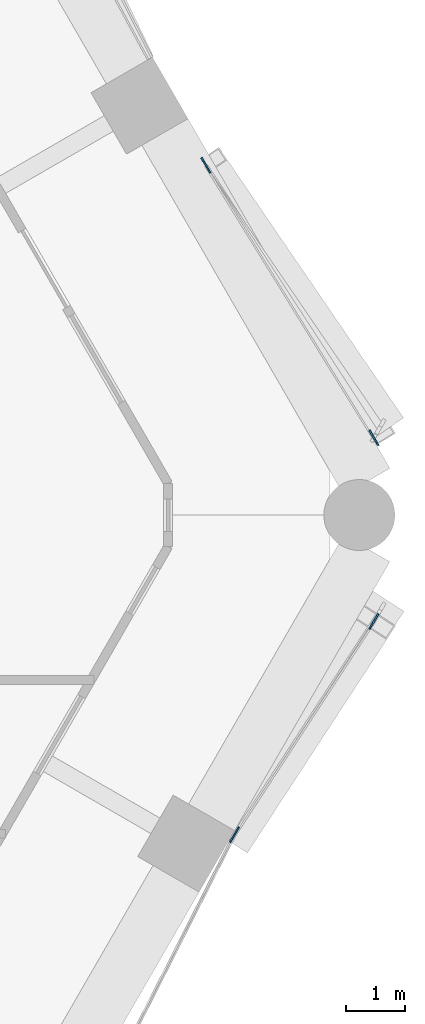
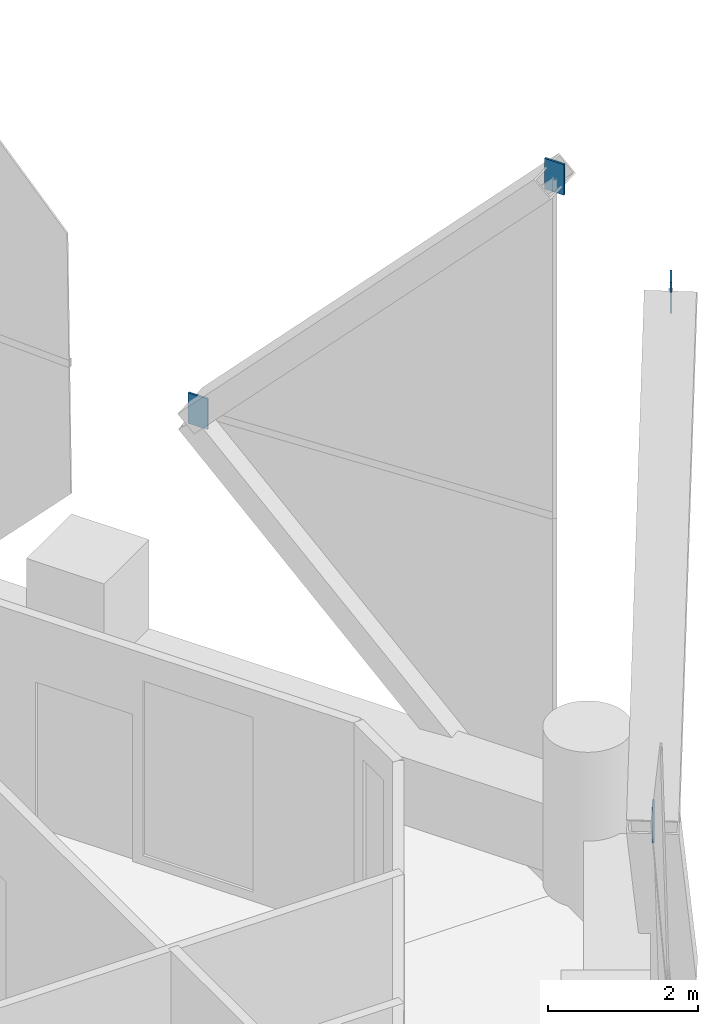
# One storey, part 16 of 17: 4 discrete accessories.
"""IFC4 building model written with IfcOpenShell, lengths in metres."""

from ifc_helpers import new_model, si_unit, direction, frame, origin, origin_2d, place, context, subcontext, project, spatial, rectangle, extrude, material, layer, layer_set, type_object, element, save


model = new_model("IFC4")

# Units and contexts
model_context = context("Model", 3, precision=1e-05, world=origin(), true_north=direction((0.0, 1.0)))
body_context = subcontext(model_context, "Body", "Model", "MODEL_VIEW")
ifc_project = project(units=[si_unit("LENGTHUNIT", "METRE"), si_unit("AREAUNIT", "SQUARE_METRE"), si_unit("VOLUMEUNIT", "CUBIC_METRE"), si_unit("PLANEANGLEUNIT", "RADIAN"), si_unit("MASSUNIT", "GRAM", prefix="KILO")], contexts=[model_context])

# Site, building, storey
site_placement = place(None, origin())
site = spatial("IfcSite", under=ifc_project, at=site_placement, CompositionType="ELEMENT")
building_placement = place(site_placement, origin())
building = spatial("IfcBuilding", under=site, at=building_placement, Name="Ostrander Bayou Hotel Tower", CompositionType="ELEMENT")
storey_placement = place(building_placement, frame((0.0, 0.0, 127.25)))
storey = spatial("IfcBuildingStorey", under=building, at=storey_placement, Name="L31", CompositionType="ELEMENT", Elevation=127.25)

# Discrete accessories
ifc_material = material(Name="Steel ASTM A572 Gr 50", Category="steel")
ifc_layer = layer(ifc_material, 0.030029296875)
ifc_layer_set = layer_set([ifc_layer], Name="GP1 gusset plate 30 mm")
discrete_accessory_type = type_object("IfcDiscreteAccessoryType", Name="GP1 gusset plate 30 mm", PredefinedType="BRACKET", material=ifc_layer_set)
for number, where, z_axis, x_axis, name in (
    (1, (19.831787109375, -6.31689453125, 4.77490234375), (0.0, 0.0, 1.0), (0.5, 0.866025403784, 0.0), "GP1 gusset plate lat 196"),
    (2, (22.188720703125, -2.7080078125, 10.39990234375), (0.0, 0.0, 1.0), (0.5, 0.866025403784, 0.0), "GP1 gusset plate lat 197"),
    (3, (19.348388671875, 5.00390625, 4.77490234375), (0.0, 0.0, 1.0), (-0.5, 0.866025403784, 0.0), "GP1 gusset plate lat 198"),
    (4, (22.188720703125, 0.39501953125, 10.39990234375), (0.0, 0.0, 1.0), (-0.5, 0.866025403784, 0.0), "GP1 gusset plate lat 199"),
):
    element("IfcDiscreteAccessory", number, at=place(storey_placement, frame(where, z_axis=z_axis, x_axis=x_axis)), inside=storey, type_object=discrete_accessory_type, Name=name, PredefinedType="BRACKET", context=body_context, shape_type="SweptSolid", body=[
        extrude(rectangle(XDim=0.300048828125, YDim=0.030029296875, at=origin_2d()), origin(), (0.0, 0.0, 1.0), 0.5),
    ])

save(model, "model.ifc")
